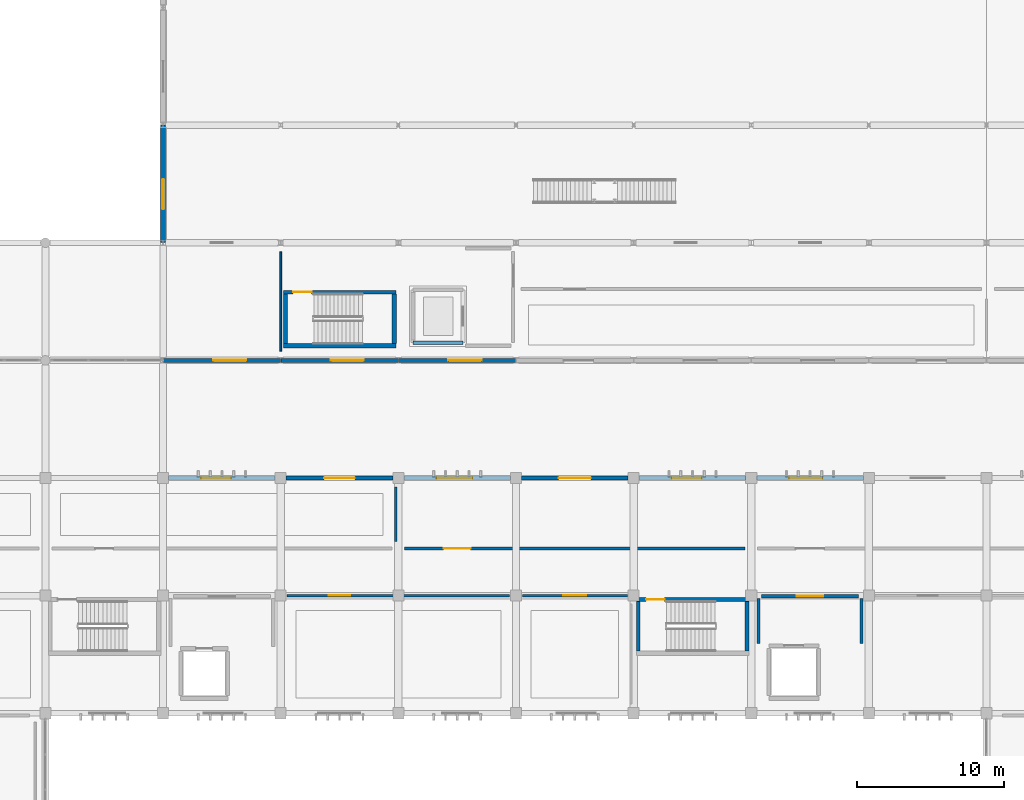
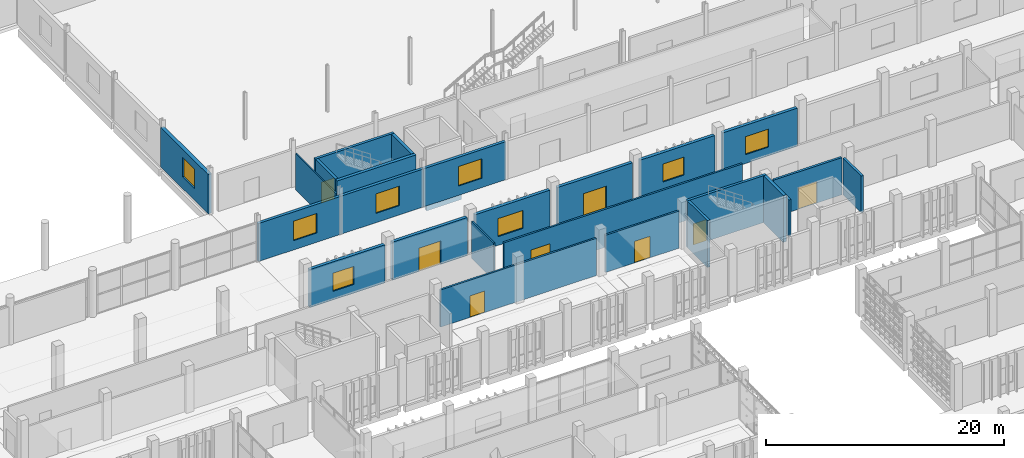
# One storey, part 90 of 117: 26 walls, 8 doors, 8 windows, 16 openings.
"""IFC4 building model written with IfcOpenShell, lengths in metres."""

from ifc_helpers import new_model, si_unit, direction, frame, frame_2d, origin, place, context, subcontext, project, spatial, rectangle, extrude, material, layer, layer_set, type_object, element, fill, save


model = new_model("IFC4")

# Units and contexts
model_context = context("Model", 3, precision=1e-05, world=origin(), true_north=direction((0.0, 1.0)))
body_context = subcontext(model_context, "Body", "Model", "MODEL_VIEW")
ifc_project = project(units=[si_unit("LENGTHUNIT", "METRE"), si_unit("AREAUNIT", "SQUARE_METRE"), si_unit("VOLUMEUNIT", "CUBIC_METRE"), si_unit("PLANEANGLEUNIT", "RADIAN"), si_unit("MASSUNIT", "GRAM", prefix="KILO")], contexts=[model_context])

# Site, building, storey
site_placement = place(None, origin())
site = spatial("IfcSite", under=ifc_project, at=site_placement, CompositionType="ELEMENT")
building_placement = place(site_placement, origin())
building = spatial("IfcBuilding", under=site, at=building_placement, Name="Jelvoka-Kovrelna Polytechnic", CompositionType="ELEMENT")
storey_placement = place(building_placement, origin())
storey = spatial("IfcBuildingStorey", under=building, at=storey_placement, Name="L01", CompositionType="ELEMENT", Elevation=0.0)

# Wall, opening, door
ifc_material_1 = material(Name="Concrete C35/45", Category="concrete")
ifc_layer_1 = layer(ifc_material_1, 0.219970703125)
ifc_layer_set_1 = layer_set([ifc_layer_1], Name="Concrete C35/45")
wall_type_1 = type_object("IfcWallType", Name="Wall_Compartment_220", PredefinedType="PARTITIONING", material=ifc_layer_set_1)
wall_1_placement = place(storey_placement, frame((128.699951171875, 63.949951171875, 0.0), z_axis=(0.0, 0.0, 1.0), x_axis=(1.0, 0.0, 0.0)))
wall_1 = element("IfcWall", 1, at=wall_1_placement, inside=storey, type_object=wall_type_1, Name="L01 interior wall 0639", PredefinedType="PARTITIONING", context=body_context, shape_type="SweptSolid", body=[
    extrude(rectangle(XDim=6.60009765625, YDim=0.219970703125, at=frame_2d((3.300048828125, 0.0))), origin(), (0.0, 0.0, 1.0), 3.81005859375),
])
opening_1_placement = place(wall_1_placement, frame((2.39990234375, 0.0, 0.0)))
opening_1 = element("IfcOpeningElement", 2, at=opening_1_placement, cuts=wall_1, Name="Opening FD-L01-110", PredefinedType="OPENING", context=body_context, shape_type="SweptSolid", body=[
    extrude(rectangle(XDim=1.800048828125, YDim=2.199951171875, at=frame_2d((0.89990234375, 1.10009765625))), frame((0.0, 0.119873046875, 0.0), z_axis=(0.0, -1.0, 0.0), x_axis=(1.0, 0.0, 0.0)), (0.0, 0.0, 1.0), 0.239990234375),
])
ifc_material_2 = material(Name="Paired steel corridor fire door", Category="steel")
door_type_1 = type_object("IfcDoorType", Name="Door_Fire_FD03", OperationType="NOTDEFINED", PredefinedType="DOOR", material=ifc_material_2)
door_1_placement = place(opening_1_placement, origin())
door_1 = element("IfcDoor", 3, at=door_1_placement, inside=storey, type_object=door_type_1, Name="L01 interior door FD-L01-110", OperationType="DOUBLE_DOOR_SINGLE_SWING", OverallHeight=2.199951171875, OverallWidth=1.800048828125, PredefinedType="DOOR", context=body_context, shape_type="SweptSolid", body=[
    extrude(rectangle(XDim=1.800048828125, YDim=2.199951171875, at=frame_2d((0.89990234375, 1.10009765625))), frame((0.0, 0.02490234375, 0.0), z_axis=(0.0, -1.0, 0.0), x_axis=(1.0, 0.0, 0.0)), (0.0, 0.0, 1.0), 0.050048828125),
])
fill(opening_1, door_1)

# Walls
for number, where, z_axis, x_axis, name in (
    (4, (128.5, 60.75, 0.0), (0.0, 0.0, 1.0), (0.0, 1.0, 0.0), "L01 interior wall 0640"),
    (5, (135.5, 60.75, 0.0), (0.0, 0.0, 1.0), (0.0, 1.0, 0.0), "L01 interior wall 0641"),
):
    element("IfcWall", number, at=place(storey_placement, frame(where, z_axis=z_axis, x_axis=x_axis)), inside=storey, type_object=wall_type_1, Name=name, PredefinedType="PARTITIONING", context=body_context, shape_type="SweptSolid", body=[
        extrude(rectangle(XDim=3.050048828125, YDim=0.219970703125, at=frame_2d((1.52490234375, 0.0))), origin(), (0.0, 0.0, 1.0), 3.760009765625),
    ])

# Wall, opening, door
ifc_material_3 = material(Name="Concrete C40/50", Category="concrete")
ifc_layer_2 = layer(ifc_material_3, 0.25)
ifc_layer_set_2 = layer_set([ifc_layer_2], Name="Concrete C40/50")
wall_type_2 = type_object("IfcWallType", Name="Wall_Core_250", PredefinedType="SOLIDWALL", material=ifc_layer_set_2)
wall_2_placement = place(storey_placement, frame((96.199951171875, 84.639892578125, 0.0), z_axis=(0.0, 0.0, 1.0), x_axis=(1.0, 0.0, 0.0)))
wall_2 = element("IfcWall", 6, at=wall_2_placement, inside=storey, type_object=wall_type_2, Name="L01 interior wall 0003", PredefinedType="SOLIDWALL", context=body_context, shape_type="SweptSolid", body=[
    extrude(rectangle(XDim=7.650146484375, YDim=0.25, at=frame_2d((3.8251953125, 0.0))), origin(), (0.0, 0.0, 1.0), 4.800048828125),
])
opening_2_placement = place(wall_2_placement, frame((0.64990234375, 0.0, 0.0)))
opening_2 = element("IfcOpeningElement", 7, at=opening_2_placement, cuts=wall_2, Name="Opening SD-L01-001", PredefinedType="OPENING", context=body_context, shape_type="SweptSolid", body=[
    extrude(rectangle(XDim=1.25, YDim=2.14990234375, at=frame_2d((0.625, 1.074951171875))), frame((0.0, 0.135009765625, 0.0), z_axis=(0.0, -1.0, 0.0), x_axis=(1.0, 0.0, 0.0)), (0.0, 0.0, 1.0), 0.27001953125),
])
ifc_material_4 = material(Name="Powder-coated steel fire door", Category="steel")
door_type_2 = type_object("IfcDoorType", Name="Door_Fire_FD02", OperationType="NOTDEFINED", PredefinedType="DOOR", material=ifc_material_4)
door_2_placement = place(opening_2_placement, origin())
door_2 = element("IfcDoor", 8, at=door_2_placement, inside=storey, type_object=door_type_2, Name="L01 interior door SD-L01-001", OperationType="SINGLE_SWING_LEFT", OverallHeight=2.14990234375, OverallWidth=1.25, PredefinedType="DOOR", context=body_context, shape_type="SweptSolid", body=[
    extrude(rectangle(XDim=1.25, YDim=2.14990234375, at=frame_2d((0.625, 1.074951171875))), frame((0.0, 0.02490234375, 0.0), z_axis=(0.0, -1.0, 0.0), x_axis=(1.0, 0.0, 0.0)), (0.0, 0.0, 1.0), 0.050048828125),
])
fill(opening_2, door_2)

# Wall
wall_3_placement = place(storey_placement, frame((96.324951171875, 81.14990234375, 0.0), z_axis=(0.0, 0.0, 1.0), x_axis=(0.0, 1.0, 0.0)))
element("IfcWall", 9, at=wall_3_placement, inside=storey, type_object=wall_type_2, Name="L01 interior wall 0004", PredefinedType="SOLIDWALL", context=body_context, shape_type="SweptSolid", body=[
    extrude(rectangle(XDim=3.360107421875, YDim=0.25, at=frame_2d((1.68017578125, 0.0))), origin(), (0.0, 0.0, 1.0), 4.800048828125),
])

# Wall, opening, door
wall_4_placement = place(storey_placement, frame((120.199951171875, 63.739990234375, 0.0), z_axis=(0.0, 0.0, 1.0), x_axis=(1.0, 0.0, 0.0)))
wall_4 = element("IfcWall", 10, at=wall_4_placement, inside=storey, type_object=wall_type_2, Name="L01 interior wall 0223", PredefinedType="SOLIDWALL", context=body_context, shape_type="SweptSolid", body=[
    extrude(rectangle(XDim=7.650146484375, YDim=0.25, at=frame_2d((3.8251953125, 0.0))), origin(), (0.0, 0.0, 1.0), 4.800048828125),
])
opening_3_placement = place(wall_4_placement, frame((0.64990234375, 0.0, 0.0)))
opening_3 = element("IfcOpeningElement", 11, at=opening_3_placement, cuts=wall_4, Name="Opening SD-L01-056", PredefinedType="OPENING", context=body_context, shape_type="SweptSolid", body=[
    extrude(rectangle(XDim=1.25, YDim=2.14990234375, at=frame_2d((0.625, 1.074951171875))), frame((0.0, 0.135009765625, 0.0), z_axis=(0.0, -1.0, 0.0), x_axis=(1.0, 0.0, 0.0)), (0.0, 0.0, 1.0), 0.27001953125),
])
door_3_placement = place(opening_3_placement, origin())
door_3 = element("IfcDoor", 12, at=door_3_placement, inside=storey, type_object=door_type_2, Name="L01 interior door SD-L01-056", OperationType="SINGLE_SWING_LEFT", OverallHeight=2.14990234375, OverallWidth=1.25, PredefinedType="DOOR", context=body_context, shape_type="SweptSolid", body=[
    extrude(rectangle(XDim=1.25, YDim=2.14990234375, at=frame_2d((0.625, 1.074951171875))), frame((0.0, 0.02490234375, 0.0), z_axis=(0.0, -1.0, 0.0), x_axis=(1.0, 0.0, 0.0)), (0.0, 0.0, 1.0), 0.050048828125),
])
fill(opening_3, door_3)

# Walls
wall_5_placement = place(storey_placement, frame((120.324951171875, 60.25, 0.0), z_axis=(0.0, 0.0, 1.0), x_axis=(0.0, 1.0, 0.0)))
element("IfcWall", 13, at=wall_5_placement, inside=storey, type_object=wall_type_2, Name="L01 interior wall 0224", PredefinedType="SOLIDWALL", context=body_context, shape_type="SweptSolid", body=[
    extrude(rectangle(XDim=3.360107421875, YDim=0.25, at=frame_2d((1.68017578125, 0.0))), origin(), (0.0, 0.0, 1.0), 4.800048828125),
])
wall_6_placement = place(storey_placement, frame((105.0, 81.199951171875, -1.5), z_axis=(0.0, 0.0, 1.0), x_axis=(1.0, 0.0, 0.0)))
element("IfcWall", 14, at=wall_6_placement, inside=storey, type_object=wall_type_2, Name="L01 interior wall 0602", PredefinedType="SOLIDWALL", context=body_context, shape_type="SweptSolid", body=[
    extrude(rectangle(XDim=3.39990234375, YDim=0.25, at=frame_2d((1.699951171875, 0.0))), origin(), (0.0, 0.0, 1.0), 1.5),
])

# Wall, opening, door
ifc_material_5 = material(Name="Autoclaved aerated concrete blockwork", Category="masonry")
ifc_layer_3 = layer(ifc_material_5, 0.179931640625)
ifc_layer_set_3 = layer_set([ifc_layer_3], Name="Autoclaved aerated concrete blockwork")
wall_type_3 = type_object("IfcWallType", Name="Wall_Corridor_180", PredefinedType="PARTITIONING", material=ifc_layer_set_3)
wall_7_placement = place(storey_placement, frame((96.429931640625, 64.0, 0.0), z_axis=(0.0, 0.0, 1.0), x_axis=(1.0, 0.0, 0.0)))
wall_7 = element("IfcWall", 15, at=wall_7_placement, inside=storey, type_object=wall_type_3, Name="L01 interior wall 0885", PredefinedType="PARTITIONING", context=body_context, shape_type="SweptSolid", body=[
    extrude(rectangle(XDim=15.14013671875, YDim=0.179931640625, at=frame_2d((7.570068359375, 0.0))), origin(), (0.0, 0.0, 1.0), 3.81005859375),
])
opening_4_placement = place(wall_7_placement, frame((2.85009765625, 0.0, 0.0)))
opening_4 = element("IfcOpeningElement", 16, at=opening_4_placement, cuts=wall_7, Name="Opening D-L01-179", PredefinedType="OPENING", context=body_context, shape_type="SweptSolid", body=[
    extrude(rectangle(XDim=1.43994140625, YDim=2.199951171875, at=frame_2d((0.719970703125, 1.10009765625))), frame((0.0, 0.099853515625, 0.0), z_axis=(0.0, -1.0, 0.0), x_axis=(1.0, 0.0, 0.0)), (0.0, 0.0, 1.0), 0.199951171875),
])
ifc_material_6 = material(Name="Paired hardwood fire-resisting lab door", Category="wood")
door_type_3 = type_object("IfcDoorType", Name="Door_Fire_FD30_06", OperationType="NOTDEFINED", PredefinedType="DOOR", material=ifc_material_6)
door_4_placement = place(opening_4_placement, origin())
door_4 = element("IfcDoor", 17, at=door_4_placement, inside=storey, type_object=door_type_3, Name="L01 interior door D-L01-179", OperationType="DOUBLE_DOOR_SINGLE_SWING", OverallHeight=2.199951171875, OverallWidth=1.43994140625, PredefinedType="DOOR", context=body_context, shape_type="SweptSolid", body=[
    extrude(rectangle(XDim=1.43994140625, YDim=2.199951171875, at=frame_2d((0.719970703125, 1.10009765625))), frame((0.0, 0.02490234375, 0.0), z_axis=(0.0, -1.0, 0.0), x_axis=(1.0, 0.0, 0.0)), (0.0, 0.0, 1.0), 0.050048828125),
])
fill(opening_4, door_4)

wall_8_placement = place(storey_placement, frame((112.429931640625, 64.0, 0.0), z_axis=(0.0, 0.0, 1.0), x_axis=(1.0, 0.0, 0.0)))
wall_8 = element("IfcWall", 18, at=wall_8_placement, inside=storey, type_object=wall_type_3, Name="L01 interior wall 0886", PredefinedType="PARTITIONING", context=body_context, shape_type="SweptSolid", body=[
    extrude(rectangle(XDim=7.14013671875, YDim=0.179931640625, at=frame_2d((3.570068359375, 0.0))), origin(), (0.0, 0.0, 1.0), 3.81005859375),
])
opening_5_placement = place(wall_8_placement, frame((2.800048828125, 0.0, 0.0)))
opening_5 = element("IfcOpeningElement", 19, at=opening_5_placement, cuts=wall_8, Name="Opening D-L01-180", PredefinedType="OPENING", context=body_context, shape_type="SweptSolid", body=[
    extrude(rectangle(XDim=1.5400390625, YDim=2.199951171875, at=frame_2d((0.77001953125, 1.10009765625))), frame((0.0, 0.099853515625, 0.0), z_axis=(0.0, -1.0, 0.0), x_axis=(1.0, 0.0, 0.0)), (0.0, 0.0, 1.0), 0.199951171875),
])
ifc_material_7 = material(Name="Paired hardwood fire-resisting library door", Category="wood")
door_type_4 = type_object("IfcDoorType", Name="Door_Fire_FD30_07", OperationType="NOTDEFINED", PredefinedType="DOOR", material=ifc_material_7)
door_5_placement = place(opening_5_placement, origin())
door_5 = element("IfcDoor", 20, at=door_5_placement, inside=storey, type_object=door_type_4, Name="L01 interior door D-L01-180", OperationType="DOUBLE_DOOR_SINGLE_SWING", OverallHeight=2.199951171875, OverallWidth=1.5400390625, PredefinedType="DOOR", context=body_context, shape_type="SweptSolid", body=[
    extrude(rectangle(XDim=1.5400390625, YDim=2.199951171875, at=frame_2d((0.77001953125, 1.10009765625))), frame((0.0, 0.02490234375, 0.0), z_axis=(0.0, -1.0, 0.0), x_axis=(1.0, 0.0, 0.0)), (0.0, 0.0, 1.0), 0.050048828125),
])
fill(opening_5, door_5)

wall_9_placement = place(storey_placement, frame((104.429931640625, 67.199951171875, 0.0), z_axis=(0.0, 0.0, 1.0), x_axis=(1.0, 0.0, 0.0)))
wall_9 = element("IfcWall", 21, at=wall_9_placement, inside=storey, type_object=wall_type_3, Name="L01 interior wall 0895", PredefinedType="PARTITIONING", context=body_context, shape_type="SweptSolid", body=[
    extrude(rectangle(XDim=23.14013671875, YDim=0.179931640625, at=frame_2d((11.570068359375, 0.0))), origin(), (0.0, 0.0, 1.0), 3.89990234375),
])
opening_6_placement = place(wall_9_placement, frame((2.64990234375, 0.0, 0.0)))
opening_6 = element("IfcOpeningElement", 22, at=opening_6_placement, cuts=wall_9, Name="Opening D-L01-186", PredefinedType="OPENING", context=body_context, shape_type="SweptSolid", body=[
    extrude(rectangle(XDim=1.840087890625, YDim=2.25, at=frame_2d((0.919921875, 1.125))), frame((0.0, 0.099853515625, 0.0), z_axis=(0.0, -1.0, 0.0), x_axis=(1.0, 0.0, 0.0)), (0.0, 0.0, 1.0), 0.199951171875),
])
ifc_material_8 = material(Name="Paired exhibition gallery double door", Category="wood")
door_type_5 = type_object("IfcDoorType", Name="Door_Int_D22", OperationType="NOTDEFINED", PredefinedType="DOOR", material=ifc_material_8)
door_6_placement = place(opening_6_placement, origin())
door_6 = element("IfcDoor", 23, at=door_6_placement, inside=storey, type_object=door_type_5, Name="L01 interior door D-L01-186", OperationType="DOUBLE_DOOR_SINGLE_SWING", OverallHeight=2.25, OverallWidth=1.840087890625, PredefinedType="DOOR", context=body_context, shape_type="SweptSolid", body=[
    extrude(rectangle(XDim=1.840087890625, YDim=2.25, at=frame_2d((0.919921875, 1.125))), frame((0.0, 0.02490234375, 0.0), z_axis=(0.0, -1.0, 0.0), x_axis=(1.0, 0.0, 0.0)), (0.0, 0.0, 1.0), 0.050048828125),
])
fill(opening_6, door_6)

# Wall, opening, window
ifc_material_9 = material(Name="Precast concrete C40/50", Category="concrete")
ifc_layer_4 = layer(ifc_material_9, 0.280029296875)
ifc_layer_set_4 = layer_set([ifc_layer_4], Name="Precast concrete C40/50")
wall_type_4 = type_object("IfcWallType", Name="Wall_Ext_White_280", PredefinedType="STANDARD", material=ifc_layer_set_4)
wall_10_placement = place(storey_placement, frame((95.99609375, 80.0, 0.0), z_axis=(0.0, 0.0, 1.0), x_axis=(-1.0, 0.0, 0.0)))
wall_10 = element("IfcWall", 24, at=wall_10_placement, inside=storey, type_object=wall_type_4, Name="L01 exterior wall 0886", PredefinedType="STANDARD", context=body_context, shape_type="SweptSolid", body=[
    extrude(rectangle(XDim=7.9921875, YDim=0.280029296875, at=frame_2d((3.99609375, 0.0))), origin(), (0.0, 0.0, 1.0), 3.89501953125),
])
opening_7_placement = place(wall_10_placement, frame((2.3359375, 0.0, 0.949951171875)))
opening_7 = element("IfcOpeningElement", 25, at=opening_7_placement, cuts=wall_10, Name="Opening W-L01-504", PredefinedType="OPENING", context=body_context, shape_type="SweptSolid", body=[
    extrude(rectangle(XDim=2.25, YDim=2.0, at=frame_2d((1.125, 1.0))), frame((0.0, 0.150146484375, 0.0), z_axis=(0.0, -1.0, 0.0), x_axis=(1.0, 0.0, 0.0)), (0.0, 0.0, 1.0), 0.300048828125),
])
ifc_material_10 = material(Name="Thermally broken anodised aluminium and low-e glazing", Category="aluminium")
window_type_1 = type_object("IfcWindowType", Name="Win_Casement_W57", PartitioningType="DOUBLE_PANEL_VERTICAL", PredefinedType="WINDOW", material=ifc_material_10)
window_1_placement = place(opening_7_placement, origin())
window_1 = element("IfcWindow", 26, at=window_1_placement, inside=storey, type_object=window_type_1, Name="L01 aluminium casement window W-L01-504", OverallHeight=2.0, OverallWidth=2.25, PartitioningType="DOUBLE_PANEL_VERTICAL", PredefinedType="WINDOW", context=body_context, shape_type="SweptSolid", body=[
    extrude(rectangle(XDim=2.25, YDim=2.0, at=frame_2d((1.125, 1.0))), frame((0.0, 0.030029296875, 0.0), z_axis=(0.0, -1.0, 0.0), x_axis=(1.0, 0.0, 0.0)), (0.0, 0.0, 1.0), 0.06005859375),
])
fill(opening_7, window_1)

wall_11_placement = place(storey_placement, frame((103.99609375, 80.0, 0.0), z_axis=(0.0, 0.0, 1.0), x_axis=(-1.0, 0.0, 0.0)))
wall_11 = element("IfcWall", 27, at=wall_11_placement, inside=storey, type_object=wall_type_4, Name="L01 exterior wall 0887", PredefinedType="STANDARD", context=body_context, shape_type="SweptSolid", body=[
    extrude(rectangle(XDim=7.9921875, YDim=0.280029296875, at=frame_2d((3.99609375, 0.0))), origin(), (0.0, 0.0, 1.0), 3.89501953125),
])
opening_8_placement = place(wall_11_placement, frame((2.3359375, 0.0, 0.949951171875)))
opening_8 = element("IfcOpeningElement", 28, at=opening_8_placement, cuts=wall_11, Name="Opening W-L01-505", PredefinedType="OPENING", context=body_context, shape_type="SweptSolid", body=[
    extrude(rectangle(XDim=2.25, YDim=2.0, at=frame_2d((1.125, 1.0))), frame((0.0, 0.150146484375, 0.0), z_axis=(0.0, -1.0, 0.0), x_axis=(1.0, 0.0, 0.0)), (0.0, 0.0, 1.0), 0.300048828125),
])
window_2_placement = place(opening_8_placement, origin())
window_2 = element("IfcWindow", 29, at=window_2_placement, inside=storey, type_object=window_type_1, Name="L01 aluminium casement window W-L01-505", OverallHeight=2.0, OverallWidth=2.25, PartitioningType="DOUBLE_PANEL_VERTICAL", PredefinedType="WINDOW", context=body_context, shape_type="SweptSolid", body=[
    extrude(rectangle(XDim=2.25, YDim=2.0, at=frame_2d((1.125, 1.0))), frame((0.0, 0.030029296875, 0.0), z_axis=(0.0, -1.0, 0.0), x_axis=(1.0, 0.0, 0.0)), (0.0, 0.0, 1.0), 0.06005859375),
])
fill(opening_8, window_2)

wall_12_placement = place(storey_placement, frame((111.99609375, 80.0, 0.0), z_axis=(0.0, 0.0, 1.0), x_axis=(-1.0, 0.0, 0.0)))
wall_12 = element("IfcWall", 30, at=wall_12_placement, inside=storey, type_object=wall_type_4, Name="L01 exterior wall 0888", PredefinedType="STANDARD", context=body_context, shape_type="SweptSolid", body=[
    extrude(rectangle(XDim=7.9921875, YDim=0.280029296875, at=frame_2d((3.99609375, 0.0))), origin(), (0.0, 0.0, 1.0), 3.89501953125),
])
opening_9_placement = place(wall_12_placement, frame((2.3359375, 0.0, 0.949951171875)))
opening_9 = element("IfcOpeningElement", 31, at=opening_9_placement, cuts=wall_12, Name="Opening W-L01-506", PredefinedType="OPENING", context=body_context, shape_type="SweptSolid", body=[
    extrude(rectangle(XDim=2.25, YDim=2.0, at=frame_2d((1.125, 1.0))), frame((0.0, 0.150146484375, 0.0), z_axis=(0.0, -1.0, 0.0), x_axis=(1.0, 0.0, 0.0)), (0.0, 0.0, 1.0), 0.300048828125),
])
window_3_placement = place(opening_9_placement, origin())
window_3 = element("IfcWindow", 32, at=window_3_placement, inside=storey, type_object=window_type_1, Name="L01 aluminium casement window W-L01-506", OverallHeight=2.0, OverallWidth=2.25, PartitioningType="DOUBLE_PANEL_VERTICAL", PredefinedType="WINDOW", context=body_context, shape_type="SweptSolid", body=[
    extrude(rectangle(XDim=2.25, YDim=2.0, at=frame_2d((1.125, 1.0))), frame((0.0, 0.030029296875, 0.0), z_axis=(0.0, -1.0, 0.0), x_axis=(1.0, 0.0, 0.0)), (0.0, 0.0, 1.0), 0.06005859375),
])
fill(opening_9, window_3)

ifc_material_11 = material(Name="Precast concrete C40/50", Category="concrete")
ifc_layer_5 = layer(ifc_material_11, 0.300048828125)
ifc_layer_set_5 = layer_set([ifc_layer_5], Name="Precast concrete C40/50")
wall_type_5 = type_object("IfcWallType", Name="Wall_Ext_White_300", PredefinedType="STANDARD", material=ifc_layer_set_5)
wall_13_placement = place(storey_placement, frame((88.3720703125, 72.0, 0.0), z_axis=(0.0, 0.0, 1.0), x_axis=(1.0, 0.0, 0.0)))
wall_13 = element("IfcWall", 33, at=wall_13_placement, inside=storey, type_object=wall_type_5, Name="L01 exterior wall 0579", PredefinedType="STANDARD", context=body_context, shape_type="SweptSolid", body=[
    extrude(rectangle(XDim=7.255859375, YDim=0.300048828125, at=frame_2d((3.6279296875, 0.0))), origin(), (0.0, 0.0, 1.0), 3.909912109375),
])
opening_10_placement = place(wall_13_placement, frame((2.2080078125, 0.0, 0.89990234375)))
opening_10 = element("IfcOpeningElement", 34, at=opening_10_placement, cuts=wall_13, Name="Opening W-L01-262", PredefinedType="OPENING", context=body_context, shape_type="SweptSolid", body=[
    extrude(rectangle(XDim=2.050048828125, YDim=1.85009765625, at=frame_2d((1.02490234375, 0.925048828125))), frame((0.0, 0.159912109375, 0.0), z_axis=(0.0, -1.0, 0.0), x_axis=(1.0, 0.0, 0.0)), (0.0, 0.0, 1.0), 0.320068359375),
])
ifc_material_12 = material(Name="Thermally broken anodised aluminium and low-e glazing", Category="aluminium")
window_type_2 = type_object("IfcWindowType", Name="Win_Casement_W46", PartitioningType="DOUBLE_PANEL_VERTICAL", PredefinedType="WINDOW", material=ifc_material_12)
window_4_placement = place(opening_10_placement, origin())
window_4 = element("IfcWindow", 35, at=window_4_placement, inside=storey, type_object=window_type_2, Name="L01 aluminium casement window W-L01-262", OverallHeight=1.85009765625, OverallWidth=2.050048828125, PartitioningType="DOUBLE_PANEL_VERTICAL", PredefinedType="WINDOW", context=body_context, shape_type="SweptSolid", body=[
    extrude(rectangle(XDim=2.050048828125, YDim=1.85009765625, at=frame_2d((1.02490234375, 0.925048828125))), frame((0.0, 0.030029296875, 0.0), z_axis=(0.0, -1.0, 0.0), x_axis=(1.0, 0.0, 0.0)), (0.0, 0.0, 1.0), 0.06005859375),
])
fill(opening_10, window_4)

# Wall, opening, door
wall_14_placement = place(storey_placement, frame((96.3720703125, 72.0, 0.0), z_axis=(0.0, 0.0, 1.0), x_axis=(1.0, 0.0, 0.0)))
wall_14 = element("IfcWall", 36, at=wall_14_placement, inside=storey, type_object=wall_type_5, Name="L01 exterior wall 0581", PredefinedType="STANDARD", context=body_context, shape_type="SweptSolid", body=[
    extrude(rectangle(XDim=7.255859375, YDim=0.300048828125, at=frame_2d((3.6279296875, 0.0))), origin(), (0.0, 0.0, 1.0), 3.909912109375),
])
opening_11_placement = place(wall_14_placement, frame((2.577880859375, 0.0, 0.0)))
opening_11 = element("IfcOpeningElement", 37, at=opening_11_placement, cuts=wall_14, Name="Opening E-L01-011", PredefinedType="OPENING", context=body_context, shape_type="SweptSolid", body=[
    extrude(rectangle(XDim=2.10009765625, YDim=2.39990234375, at=frame_2d((1.050048828125, 1.199951171875))), frame((0.0, 0.159912109375, 0.0), z_axis=(0.0, -1.0, 0.0), x_axis=(1.0, 0.0, 0.0)), (0.0, 0.0, 1.0), 0.320068359375),
])
ifc_material_13 = material(Name="Powder-coated aluminium and laminated safety glass", Category="aluminium")
door_type_6 = type_object("IfcDoorType", Name="Door_Ext_Exit_2100x2400", OperationType="NOTDEFINED", PredefinedType="DOOR", material=ifc_material_13)
door_7_placement = place(opening_11_placement, origin())
door_7 = element("IfcDoor", 38, at=door_7_placement, inside=storey, type_object=door_type_6, Name="L01 exterior door E-L01-011", OperationType="DOUBLE_DOOR_SINGLE_SWING", OverallHeight=2.39990234375, OverallWidth=2.10009765625, PredefinedType="DOOR", context=body_context, shape_type="SweptSolid", body=[
    extrude(rectangle(XDim=2.10009765625, YDim=2.39990234375, at=frame_2d((1.050048828125, 1.199951171875))), frame((0.0, 0.02490234375, 0.0), z_axis=(0.0, -1.0, 0.0), x_axis=(1.0, 0.0, 0.0)), (0.0, 0.0, 1.0), 0.050048828125),
])
fill(opening_11, door_7)

# Wall, opening, window
wall_15_placement = place(storey_placement, frame((104.3720703125, 72.0, 0.0), z_axis=(0.0, 0.0, 1.0), x_axis=(1.0, 0.0, 0.0)))
wall_15 = element("IfcWall", 39, at=wall_15_placement, inside=storey, type_object=wall_type_5, Name="L01 exterior wall 0583", PredefinedType="STANDARD", context=body_context, shape_type="SweptSolid", body=[
    extrude(rectangle(XDim=7.255859375, YDim=0.300048828125, at=frame_2d((3.6279296875, 0.0))), origin(), (0.0, 0.0, 1.0), 3.909912109375),
])
opening_12_placement = place(wall_15_placement, frame((2.2080078125, 0.0, 0.89990234375)))
opening_12 = element("IfcOpeningElement", 40, at=opening_12_placement, cuts=wall_15, Name="Opening W-L01-265", PredefinedType="OPENING", context=body_context, shape_type="SweptSolid", body=[
    extrude(rectangle(XDim=2.449951171875, YDim=1.85009765625, at=frame_2d((1.22509765625, 0.925048828125))), frame((0.0, 0.159912109375, 0.0), z_axis=(0.0, -1.0, 0.0), x_axis=(1.0, 0.0, 0.0)), (0.0, 0.0, 1.0), 0.320068359375),
])
ifc_material_14 = material(Name="Thermally broken anodised aluminium and low-e glazing", Category="aluminium")
window_type_3 = type_object("IfcWindowType", Name="Win_Casement_W48", PartitioningType="DOUBLE_PANEL_VERTICAL", PredefinedType="WINDOW", material=ifc_material_14)
window_5_placement = place(opening_12_placement, origin())
window_5 = element("IfcWindow", 41, at=window_5_placement, inside=storey, type_object=window_type_3, Name="L01 aluminium casement window W-L01-265", OverallHeight=1.85009765625, OverallWidth=2.449951171875, PartitioningType="DOUBLE_PANEL_VERTICAL", PredefinedType="WINDOW", context=body_context, shape_type="SweptSolid", body=[
    extrude(rectangle(XDim=2.449951171875, YDim=1.85009765625, at=frame_2d((1.22509765625, 0.925048828125))), frame((0.0, 0.030029296875, 0.0), z_axis=(0.0, -1.0, 0.0), x_axis=(1.0, 0.0, 0.0)), (0.0, 0.0, 1.0), 0.06005859375),
])
fill(opening_12, window_5)

# Wall, opening, door
wall_16_placement = place(storey_placement, frame((112.3720703125, 72.0, 0.0), z_axis=(0.0, 0.0, 1.0), x_axis=(1.0, 0.0, 0.0)))
wall_16 = element("IfcWall", 42, at=wall_16_placement, inside=storey, type_object=wall_type_5, Name="L01 exterior wall 0585", PredefinedType="STANDARD", context=body_context, shape_type="SweptSolid", body=[
    extrude(rectangle(XDim=7.255859375, YDim=0.300048828125, at=frame_2d((3.6279296875, 0.0))), origin(), (0.0, 0.0, 1.0), 3.909912109375),
])
opening_13_placement = place(wall_16_placement, frame((2.528076171875, 0.0, 0.0)))
opening_13 = element("IfcOpeningElement", 43, at=opening_13_placement, cuts=wall_16, Name="Opening E-L01-012", PredefinedType="OPENING", context=body_context, shape_type="SweptSolid", body=[
    extrude(rectangle(XDim=2.199951171875, YDim=2.39990234375, at=frame_2d((1.10009765625, 1.199951171875))), frame((0.0, 0.159912109375, 0.0), z_axis=(0.0, -1.0, 0.0), x_axis=(1.0, 0.0, 0.0)), (0.0, 0.0, 1.0), 0.320068359375),
])
ifc_material_15 = material(Name="Powder-coated aluminium and laminated safety glass", Category="aluminium")
door_type_7 = type_object("IfcDoorType", Name="Door_Ext_Exit_2200x2400", OperationType="NOTDEFINED", PredefinedType="DOOR", material=ifc_material_15)
door_8_placement = place(opening_13_placement, origin())
door_8 = element("IfcDoor", 44, at=door_8_placement, inside=storey, type_object=door_type_7, Name="L01 exterior door E-L01-012", OperationType="DOUBLE_DOOR_SINGLE_SWING", OverallHeight=2.39990234375, OverallWidth=2.199951171875, PredefinedType="DOOR", context=body_context, shape_type="SweptSolid", body=[
    extrude(rectangle(XDim=2.199951171875, YDim=2.39990234375, at=frame_2d((1.10009765625, 1.199951171875))), frame((0.0, 0.02490234375, 0.0), z_axis=(0.0, -1.0, 0.0), x_axis=(1.0, 0.0, 0.0)), (0.0, 0.0, 1.0), 0.050048828125),
])
fill(opening_13, door_8)

# Wall, opening, window
wall_17_placement = place(storey_placement, frame((120.3720703125, 72.0, 0.0), z_axis=(0.0, 0.0, 1.0), x_axis=(1.0, 0.0, 0.0)))
wall_17 = element("IfcWall", 45, at=wall_17_placement, inside=storey, type_object=wall_type_5, Name="L01 exterior wall 0587", PredefinedType="STANDARD", context=body_context, shape_type="SweptSolid", body=[
    extrude(rectangle(XDim=7.255859375, YDim=0.300048828125, at=frame_2d((3.6279296875, 0.0))), origin(), (0.0, 0.0, 1.0), 3.909912109375),
])
opening_14_placement = place(wall_17_placement, frame((2.2080078125, 0.0, 0.89990234375)))
opening_14 = element("IfcOpeningElement", 46, at=opening_14_placement, cuts=wall_17, Name="Opening W-L01-268", PredefinedType="OPENING", context=body_context, shape_type="SweptSolid", body=[
    extrude(rectangle(XDim=2.050048828125, YDim=1.85009765625, at=frame_2d((1.02490234375, 0.925048828125))), frame((0.0, 0.159912109375, 0.0), z_axis=(0.0, -1.0, 0.0), x_axis=(1.0, 0.0, 0.0)), (0.0, 0.0, 1.0), 0.320068359375),
])
window_6_placement = place(opening_14_placement, origin())
window_6 = element("IfcWindow", 47, at=window_6_placement, inside=storey, type_object=window_type_2, Name="L01 aluminium casement window W-L01-268", OverallHeight=1.85009765625, OverallWidth=2.050048828125, PartitioningType="DOUBLE_PANEL_VERTICAL", PredefinedType="WINDOW", context=body_context, shape_type="SweptSolid", body=[
    extrude(rectangle(XDim=2.050048828125, YDim=1.85009765625, at=frame_2d((1.02490234375, 0.925048828125))), frame((0.0, 0.030029296875, 0.0), z_axis=(0.0, -1.0, 0.0), x_axis=(1.0, 0.0, 0.0)), (0.0, 0.0, 1.0), 0.06005859375),
])
fill(opening_14, window_6)

wall_18_placement = place(storey_placement, frame((128.3720703125, 72.0, 0.0), z_axis=(0.0, 0.0, 1.0), x_axis=(1.0, 0.0, 0.0)))
wall_18 = element("IfcWall", 48, at=wall_18_placement, inside=storey, type_object=wall_type_5, Name="L01 exterior wall 0589", PredefinedType="STANDARD", context=body_context, shape_type="SweptSolid", body=[
    extrude(rectangle(XDim=7.255859375, YDim=0.300048828125, at=frame_2d((3.6279296875, 0.0))), origin(), (0.0, 0.0, 1.0), 3.909912109375),
])
opening_15_placement = place(wall_18_placement, frame((2.2080078125, 0.0, 0.89990234375)))
opening_15 = element("IfcOpeningElement", 49, at=opening_15_placement, cuts=wall_18, Name="Opening W-L01-270", PredefinedType="OPENING", context=body_context, shape_type="SweptSolid", body=[
    extrude(rectangle(XDim=2.25, YDim=1.85009765625, at=frame_2d((1.125, 0.925048828125))), frame((0.0, 0.159912109375, 0.0), z_axis=(0.0, -1.0, 0.0), x_axis=(1.0, 0.0, 0.0)), (0.0, 0.0, 1.0), 0.320068359375),
])
ifc_material_16 = material(Name="Thermally broken anodised aluminium and low-e glazing", Category="aluminium")
window_type_4 = type_object("IfcWindowType", Name="Win_Casement_W47", PartitioningType="DOUBLE_PANEL_VERTICAL", PredefinedType="WINDOW", material=ifc_material_16)
window_7_placement = place(opening_15_placement, origin())
window_7 = element("IfcWindow", 50, at=window_7_placement, inside=storey, type_object=window_type_4, Name="L01 aluminium casement window W-L01-270", OverallHeight=1.85009765625, OverallWidth=2.25, PartitioningType="DOUBLE_PANEL_VERTICAL", PredefinedType="WINDOW", context=body_context, shape_type="SweptSolid", body=[
    extrude(rectangle(XDim=2.25, YDim=1.85009765625, at=frame_2d((1.125, 0.925048828125))), frame((0.0, 0.030029296875, 0.0), z_axis=(0.0, -1.0, 0.0), x_axis=(1.0, 0.0, 0.0)), (0.0, 0.0, 1.0), 0.06005859375),
])
fill(opening_15, window_7)

ifc_material_17 = material(Name="Precast concrete C40/50", Category="concrete")
ifc_layer_6 = layer(ifc_material_17, 0.340087890625)
ifc_layer_set_6 = layer_set([ifc_layer_6], Name="Precast concrete C40/50")
wall_type_6 = type_object("IfcWallType", Name="Wall_Ext_Workshop_340", PredefinedType="STANDARD", material=ifc_layer_set_6)
wall_19_placement = place(storey_placement, frame((88.0, 88.00390625, 0.0), z_axis=(0.0, 0.0, 1.0), x_axis=(0.0, 1.0, 0.0)))
wall_19 = element("IfcWall", 51, at=wall_19_placement, inside=storey, type_object=wall_type_6, Name="L01 exterior wall 0882", PredefinedType="STANDARD", context=body_context, shape_type="SweptSolid", body=[
    extrude(rectangle(XDim=7.9921875, YDim=0.340087890625, at=frame_2d((3.99609375, 0.0))), origin(), (0.0, 0.0, 1.0), 4.03662109375),
])
opening_16_placement = place(wall_19_placement, frame((2.27587890625, 0.0, 1.199951171875)))
opening_16 = element("IfcOpeningElement", 52, at=opening_16_placement, cuts=wall_19, Name="Opening W-L01-500", PredefinedType="OPENING", context=body_context, shape_type="SweptSolid", body=[
    extrude(rectangle(XDim=2.050048828125, YDim=2.0, at=frame_2d((1.02490234375, 1.0))), frame((0.0, 0.179931640625, 0.0), z_axis=(0.0, -1.0, 0.0), x_axis=(1.0, 0.0, 0.0)), (0.0, 0.0, 1.0), 0.360107421875),
])
ifc_material_18 = material(Name="Thermally broken anodised aluminium and low-e glazing", Category="aluminium")
window_type_5 = type_object("IfcWindowType", Name="Win_Casement_W56", PartitioningType="DOUBLE_PANEL_VERTICAL", PredefinedType="WINDOW", material=ifc_material_18)
window_8_placement = place(opening_16_placement, origin())
window_8 = element("IfcWindow", 53, at=window_8_placement, inside=storey, type_object=window_type_5, Name="L01 aluminium casement window W-L01-500", OverallHeight=2.0, OverallWidth=2.050048828125, PartitioningType="DOUBLE_PANEL_VERTICAL", PredefinedType="WINDOW", context=body_context, shape_type="SweptSolid", body=[
    extrude(rectangle(XDim=2.050048828125, YDim=2.0, at=frame_2d((1.02490234375, 1.0))), frame((0.0, 0.030029296875, 0.0), z_axis=(0.0, -1.0, 0.0), x_axis=(1.0, 0.0, 0.0)), (0.0, 0.0, 1.0), 0.06005859375),
])
fill(opening_16, window_8)

# Walls
ifc_material_19 = material(Name="Acoustic gypsum stud partition")
ifc_layer_7 = layer(ifc_material_19, 0.125)
ifc_layer_set_7 = layer_set([ifc_layer_7], Name="Acoustic gypsum stud partition")
wall_type_7 = type_object("IfcWallType", Name="Wall_Partition_125", PredefinedType="PARTITIONING", material=ifc_layer_set_7)
wall_20_placement = place(storey_placement, frame((96.0, 80.6201171875, 0.0), z_axis=(0.0, 0.0, 1.0), x_axis=(0.0, 1.0, 0.0)))
element("IfcWall", 54, at=wall_20_placement, inside=storey, type_object=wall_type_7, Name="L01 interior wall 0914", PredefinedType="PARTITIONING", context=body_context, shape_type="SweptSolid", body=[
    extrude(rectangle(XDim=6.759765625, YDim=0.125, at=frame_2d((3.3798828125, 0.0))), origin(), (0.0, 0.0, 1.0), 3.7451171875),
])
ifc_material_20 = material(Name="Autoclaved aerated concrete blockwork", Category="masonry")
ifc_layer_8 = layer(ifc_material_20, 0.14990234375)
ifc_layer_set_8 = layer_set([ifc_layer_8], Name="Autoclaved aerated concrete blockwork")
wall_type_8 = type_object("IfcWallType", Name="Wall_Partition_150", PredefinedType="PARTITIONING", material=ifc_layer_set_8)
wall_21_placement = place(storey_placement, frame((103.820068359375, 67.669921875, 0.0), z_axis=(0.0, 0.0, 1.0), x_axis=(0.0, 1.0, 0.0)))
element("IfcWall", 55, at=wall_21_placement, inside=storey, type_object=wall_type_8, Name="L01 interior wall 0894", PredefinedType="PARTITIONING", context=body_context, shape_type="SweptSolid", body=[
    extrude(rectangle(XDim=3.7099609375, YDim=0.14990234375, at=frame_2d((1.85498046875, 0.0))), origin(), (0.0, 0.0, 1.0), 3.760009765625),
])
ifc_material_21 = material(Name="Concrete C40/50", Category="concrete")
ifc_layer_9 = layer(ifc_material_21, 0.300048828125)
ifc_layer_set_9 = layer_set([ifc_layer_9], Name="Concrete C40/50")
wall_type_9 = type_object("IfcWallType", Name="Wall_Shear_300", PredefinedType="SHEAR", material=ifc_layer_set_9)
wall_22_placement = place(storey_placement, frame((96.199951171875, 80.989990234375, 0.0), z_axis=(0.0, 0.0, 1.0), x_axis=(1.0, 0.0, 0.0)))
element("IfcWall", 56, at=wall_22_placement, inside=storey, type_object=wall_type_9, Name="L01 interior wall 0001", PredefinedType="SHEAR", context=body_context, shape_type="SweptSolid", body=[
    extrude(rectangle(XDim=7.650146484375, YDim=0.300048828125, at=frame_2d((3.8251953125, 0.0))), origin(), (0.0, 0.0, 1.0), 4.800048828125),
])
for number, where, z_axis, x_axis, name in (
    (57, (103.7099609375, 81.14990234375, 0.0), (0.0, 0.0, 1.0), (0.0, 1.0, 0.0), "L01 interior wall 0002"),
    (58, (127.7099609375, 60.25, 0.0), (0.0, 0.0, 1.0), (0.0, 1.0, 0.0), "L01 interior wall 0222"),
):
    element("IfcWall", number, at=place(storey_placement, frame(where, z_axis=z_axis, x_axis=x_axis)), inside=storey, type_object=wall_type_9, Name=name, PredefinedType="SHEAR", context=body_context, shape_type="SweptSolid", body=[
        extrude(rectangle(XDim=3.360107421875, YDim=0.300048828125, at=frame_2d((1.68017578125, 0.0))), origin(), (0.0, 0.0, 1.0), 4.800048828125),
    ])

save(model, "model.ifc")
